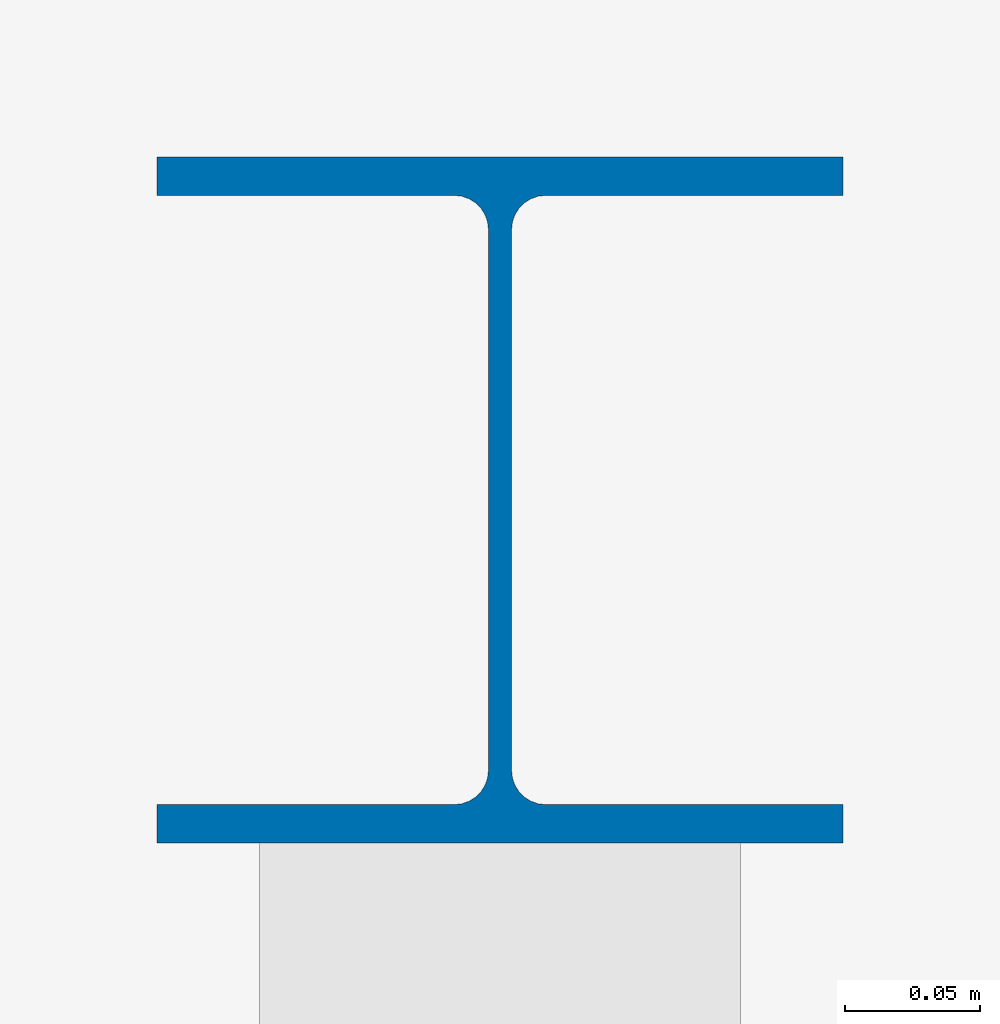
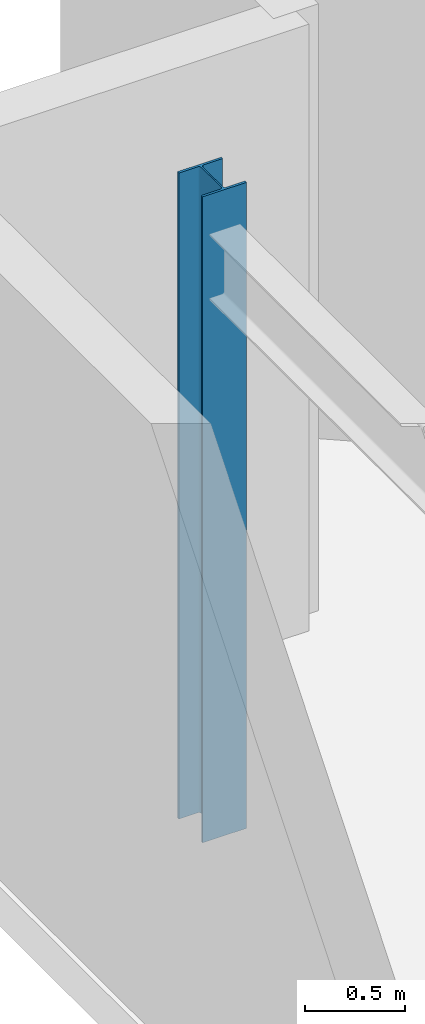
# One storey, part 4 of 16: 1 column.
"""IFC4 building model written with IfcOpenShell, lengths in metres."""

from ifc_helpers import new_model, si_unit, direction, frame, origin, origin_2d, place, context, subcontext, project, spatial, i_section, extrude, material, material_profile, profile_set, type_object, element, save


model = new_model("IFC4")

# Units and contexts
model_context = context("Model", 3, precision=1e-05, world=origin(), true_north=direction((0.0, 1.0)))
body_context = subcontext(model_context, "Body", "Model", "MODEL_VIEW")
ifc_project = project(units=[si_unit("LENGTHUNIT", "METRE"), si_unit("AREAUNIT", "SQUARE_METRE"), si_unit("VOLUMEUNIT", "CUBIC_METRE"), si_unit("PLANEANGLEUNIT", "RADIAN"), si_unit("MASSUNIT", "GRAM", prefix="KILO")], contexts=[model_context])

# Site, building, storey
site_placement = place(None, origin())
site = spatial("IfcSite", under=ifc_project, at=site_placement, CompositionType="ELEMENT")
building_placement = place(site_placement, origin())
building = spatial("IfcBuilding", under=site, at=building_placement, Name="Varnakote Quay Hospital", CompositionType="ELEMENT")
storey_placement = place(building_placement, frame((0.0, 0.0, 272.35009765625)))
storey = spatial("IfcBuildingStorey", under=building, at=storey_placement, Name="L67", CompositionType="ELEMENT", Elevation=272.35009765625)

# Column
ifc_material = material(Name="Structural steel AS/NZS 3679.1 Grade 350 L0 (fy 340 MPa)", Category="steel")
ifc_material_profile = material_profile(ifc_material, i_section(OverallWidth=0.25390625, OverallDepth=0.25390625, WebThickness=0.008544921875, FlangeThickness=0.01416015625, FilletRadius=0.0126953125, at=origin_2d()), Name="250UC72.9")
ifc_profile_set = profile_set([ifc_material_profile], Name="Structural steel AS/NZS 3679.1 Grade 350 L0 (fy 340 MPa)")
column_type = type_object("IfcColumnType", Name="COL-STL-250UC72-9", PredefinedType="COLUMN", material=ifc_profile_set)
column_placement = place(storey_placement, frame((1.199951171875, 37.199951171875, 0.0), z_axis=(0.0, 0.0, 1.0), x_axis=(1.0, 0.0, 0.0)))
element("IfcColumn", 1, at=column_placement, inside=storey, type_object=column_type, Name="L67 Structural Column C-1-37", PredefinedType="COLUMN", context=body_context, shape_type="SweptSolid", body=[
    extrude(i_section(OverallWidth=0.25390625, OverallDepth=0.25390625, WebThickness=0.008544921875, FlangeThickness=0.01416015625, FilletRadius=0.0126953125, at=origin_2d()), origin(), (0.0, 0.0, 1.0), 3.949951171875),
])

save(model, "model.ifc")
